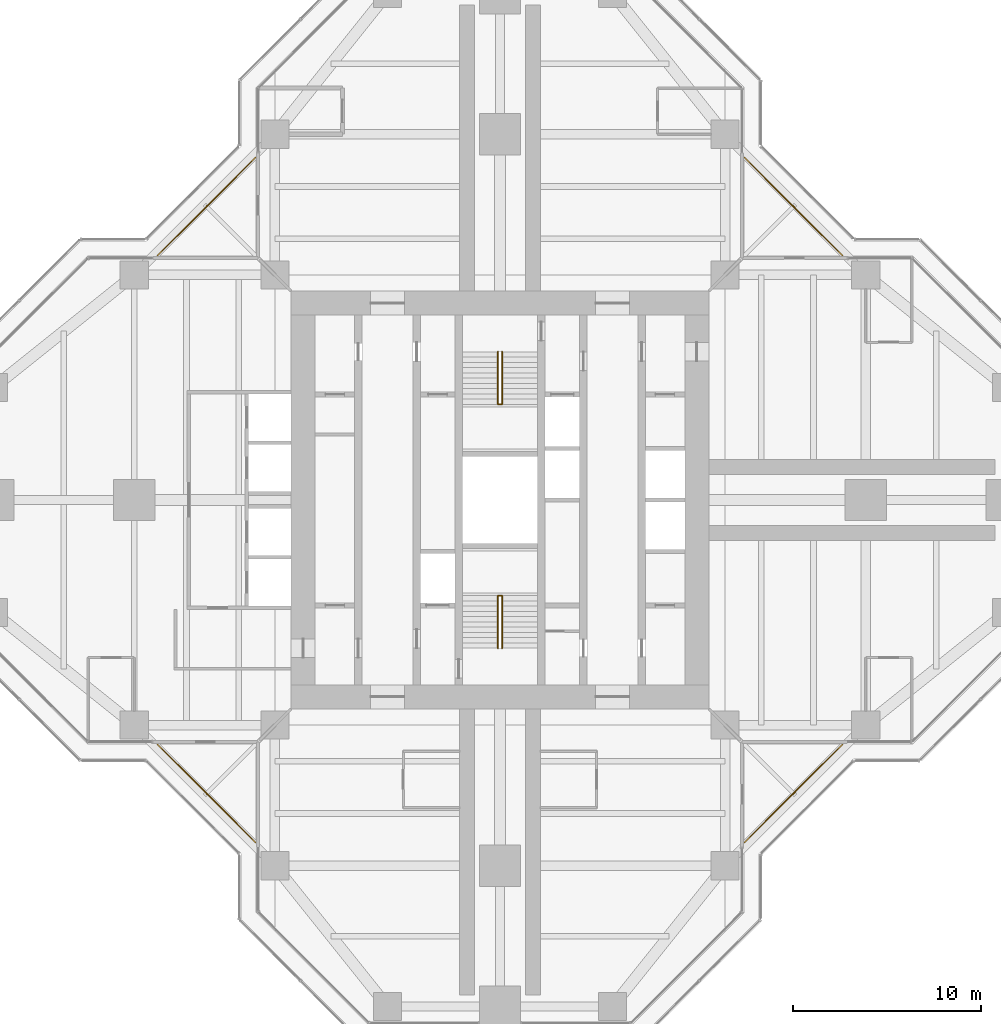
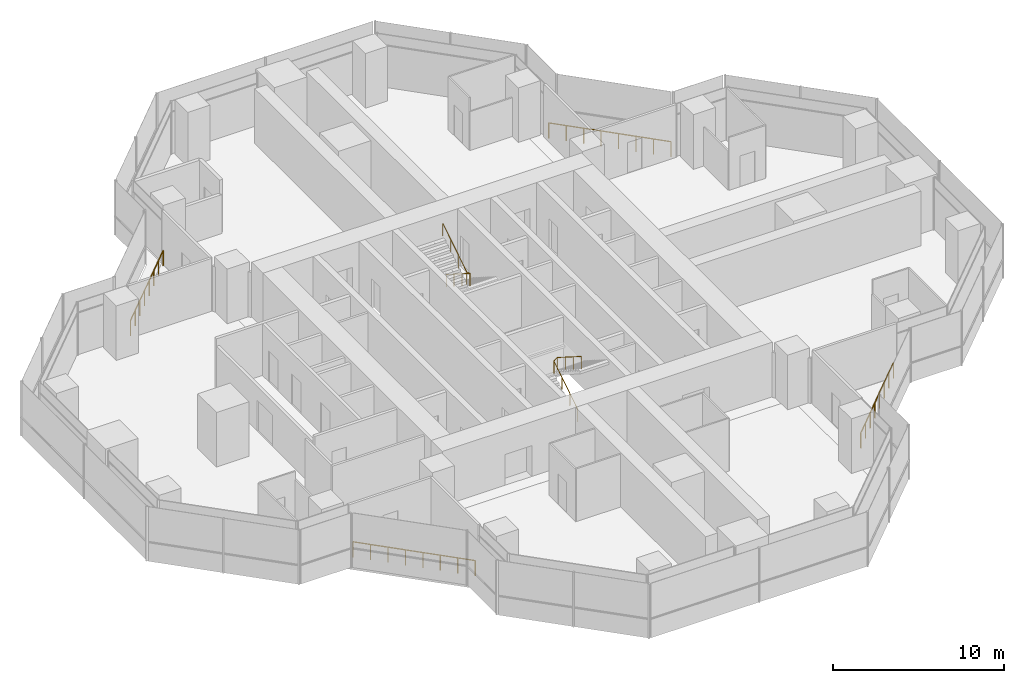
# One storey, part 17 of 17: 6 railings.
"""IFC4 building model written with IfcOpenShell, lengths in metres."""

from ifc_helpers import new_model, si_unit, direction, frame, origin, origin_2d, place, context, subcontext, project, spatial, circle, extrude, material, type_object, element, save


model = new_model("IFC4")

# Units and contexts
model_context = context("Model", 3, precision=1e-05, world=origin(), true_north=direction((0.0, 1.0)))
body_context = subcontext(model_context, "Body", "Model", "MODEL_VIEW")
ifc_project = project(units=[si_unit("LENGTHUNIT", "METRE"), si_unit("AREAUNIT", "SQUARE_METRE"), si_unit("VOLUMEUNIT", "CUBIC_METRE"), si_unit("PLANEANGLEUNIT", "RADIAN"), si_unit("MASSUNIT", "GRAM", prefix="KILO")], contexts=[model_context])

# Site, building, storey
site_placement = place(None, origin())
site = spatial("IfcSite", under=ifc_project, at=site_placement, CompositionType="ELEMENT")
building_placement = place(site_placement, origin())
building = spatial("IfcBuilding", under=site, at=building_placement, Name="Mizan Broadcast Tower", CompositionType="ELEMENT")
storey_placement = place(building_placement, frame((0.0, 0.0, 251.699951171875)))
storey = spatial("IfcBuildingStorey", under=building, at=storey_placement, Name="L59", CompositionType="ELEMENT", Elevation=251.699951171875)

# Railings
ifc_material_1 = material(Name="Stainless steel and glass guard", Category="steel")
railing_type_1 = type_object("IfcRailingType", Name="GUARD 1100", PredefinedType="GUARDRAIL", material=ifc_material_1)
railing_1_placement = place(storey_placement, frame((18.2578125, 13.030029296875, 0.0)))
element("IfcRailing", 1, at=railing_1_placement, inside=storey, type_object=railing_type_1, Name="Winter garden guard L59 E", PredefinedType="GUARDRAIL", context=body_context, shape_type="SweptSolid", body=[
    extrude(circle(Radius=0.02392578125, at=origin_2d()), frame((0.0, 0.0, 1.076171875), z_axis=(-0.707106781187, 0.707106781187, 0.0), x_axis=(-0.707106781187, -0.707106781187, 0.0)), (0.0, 0.0, 1.0), 7.393310546875),
    extrude(circle(Radius=0.02099609375, at=origin_2d()), origin(), (0.0, 0.0, 1.0), 1.052001953125),
    extrude(circle(Radius=0.02099609375, at=origin_2d()), frame((-0.746826171875, 0.746826171875, 0.0)), (0.0, 0.0, 1.0), 1.052001953125),
    extrude(circle(Radius=0.02099609375, at=origin_2d()), frame((-1.49365234375, 1.49365234375, 0.0)), (0.0, 0.0, 1.0), 1.052001953125),
    extrude(circle(Radius=0.02099609375, at=origin_2d()), frame((-2.240478515625, 2.240478515625, 0.0)), (0.0, 0.0, 1.0), 1.052001953125),
    extrude(circle(Radius=0.02099609375, at=origin_2d()), frame((-2.9873046875, 2.9873046875, 0.0)), (0.0, 0.0, 1.0), 1.052001953125),
    extrude(circle(Radius=0.02099609375, at=origin_2d()), frame((-3.734130859375, 3.734130859375, 0.0)), (0.0, 0.0, 1.0), 1.052001953125),
    extrude(circle(Radius=0.02099609375, at=origin_2d()), frame((-4.48095703125, 4.48095703125, 0.0)), (0.0, 0.0, 1.0), 1.052001953125),
    extrude(circle(Radius=0.02099609375, at=origin_2d()), frame((-5.227783203125, 5.227783203125, 0.0)), (0.0, 0.0, 1.0), 1.052001953125),
])
railing_2_placement = place(storey_placement, frame((-13.030029296875, 18.2578125, 0.0)))
element("IfcRailing", 2, at=railing_2_placement, inside=storey, type_object=railing_type_1, Name="Winter garden guard L59 N", PredefinedType="GUARDRAIL", context=body_context, shape_type="SweptSolid", body=[
    extrude(circle(Radius=0.02392578125, at=origin_2d()), frame((0.0, 0.0, 1.076171875), z_axis=(-0.707106781187, -0.707106781187, 0.0), x_axis=(0.707106781187, -0.707106781187, 0.0)), (0.0, 0.0, 1.0), 7.393310546875),
    extrude(circle(Radius=0.02099609375, at=origin_2d()), origin(), (0.0, 0.0, 1.0), 1.052001953125),
    extrude(circle(Radius=0.02099609375, at=origin_2d()), frame((-0.746826171875, -0.746826171875, 0.0)), (0.0, 0.0, 1.0), 1.052001953125),
    extrude(circle(Radius=0.02099609375, at=origin_2d()), frame((-1.49365234375, -1.49365234375, 0.0)), (0.0, 0.0, 1.0), 1.052001953125),
    extrude(circle(Radius=0.02099609375, at=origin_2d()), frame((-2.240478515625, -2.240478515625, 0.0)), (0.0, 0.0, 1.0), 1.052001953125),
    extrude(circle(Radius=0.02099609375, at=origin_2d()), frame((-2.9873046875, -2.9873046875, 0.0)), (0.0, 0.0, 1.0), 1.052001953125),
    extrude(circle(Radius=0.02099609375, at=origin_2d()), frame((-3.734130859375, -3.734130859375, 0.0)), (0.0, 0.0, 1.0), 1.052001953125),
    extrude(circle(Radius=0.02099609375, at=origin_2d()), frame((-4.48095703125, -4.48095703125, 0.0)), (0.0, 0.0, 1.0), 1.052001953125),
    extrude(circle(Radius=0.02099609375, at=origin_2d()), frame((-5.227783203125, -5.227783203125, 0.0)), (0.0, 0.0, 1.0), 1.052001953125),
])
railing_3_placement = place(storey_placement, frame((-18.2578125, -13.030029296875, 0.0)))
element("IfcRailing", 3, at=railing_3_placement, inside=storey, type_object=railing_type_1, Name="Winter garden guard L59 W", PredefinedType="GUARDRAIL", context=body_context, shape_type="SweptSolid", body=[
    extrude(circle(Radius=0.02392578125, at=origin_2d()), frame((0.0, 0.0, 1.076171875), z_axis=(0.707106781187, -0.707106781187, 0.0), x_axis=(0.707106781187, 0.707106781187, 0.0)), (0.0, 0.0, 1.0), 7.393310546875),
    extrude(circle(Radius=0.02099609375, at=origin_2d()), origin(), (0.0, 0.0, 1.0), 1.052001953125),
    extrude(circle(Radius=0.02099609375, at=origin_2d()), frame((0.746826171875, -0.746826171875, 0.0)), (0.0, 0.0, 1.0), 1.052001953125),
    extrude(circle(Radius=0.02099609375, at=origin_2d()), frame((1.49365234375, -1.49365234375, 0.0)), (0.0, 0.0, 1.0), 1.052001953125),
    extrude(circle(Radius=0.02099609375, at=origin_2d()), frame((2.240478515625, -2.240478515625, 0.0)), (0.0, 0.0, 1.0), 1.052001953125),
    extrude(circle(Radius=0.02099609375, at=origin_2d()), frame((2.9873046875, -2.9873046875, 0.0)), (0.0, 0.0, 1.0), 1.052001953125),
    extrude(circle(Radius=0.02099609375, at=origin_2d()), frame((3.734130859375, -3.734130859375, 0.0)), (0.0, 0.0, 1.0), 1.052001953125),
    extrude(circle(Radius=0.02099609375, at=origin_2d()), frame((4.48095703125, -4.48095703125, 0.0)), (0.0, 0.0, 1.0), 1.052001953125),
    extrude(circle(Radius=0.02099609375, at=origin_2d()), frame((5.227783203125, -5.227783203125, 0.0)), (0.0, 0.0, 1.0), 1.052001953125),
])
railing_4_placement = place(storey_placement, frame((13.030029296875, -18.2578125, 0.0)))
element("IfcRailing", 4, at=railing_4_placement, inside=storey, type_object=railing_type_1, Name="Winter garden guard L59 S", PredefinedType="GUARDRAIL", context=body_context, shape_type="SweptSolid", body=[
    extrude(circle(Radius=0.02392578125, at=origin_2d()), frame((0.0, 0.0, 1.076171875), z_axis=(0.707106781187, 0.707106781187, 0.0), x_axis=(-0.707106781187, 0.707106781187, 0.0)), (0.0, 0.0, 1.0), 7.393310546875),
    extrude(circle(Radius=0.02099609375, at=origin_2d()), origin(), (0.0, 0.0, 1.0), 1.052001953125),
    extrude(circle(Radius=0.02099609375, at=origin_2d()), frame((0.746826171875, 0.746826171875, 0.0)), (0.0, 0.0, 1.0), 1.052001953125),
    extrude(circle(Radius=0.02099609375, at=origin_2d()), frame((1.49365234375, 1.49365234375, 0.0)), (0.0, 0.0, 1.0), 1.052001953125),
    extrude(circle(Radius=0.02099609375, at=origin_2d()), frame((2.240478515625, 2.240478515625, 0.0)), (0.0, 0.0, 1.0), 1.052001953125),
    extrude(circle(Radius=0.02099609375, at=origin_2d()), frame((2.9873046875, 2.9873046875, 0.0)), (0.0, 0.0, 1.0), 1.052001953125),
    extrude(circle(Radius=0.02099609375, at=origin_2d()), frame((3.734130859375, 3.734130859375, 0.0)), (0.0, 0.0, 1.0), 1.052001953125),
    extrude(circle(Radius=0.02099609375, at=origin_2d()), frame((4.48095703125, 4.48095703125, 0.0)), (0.0, 0.0, 1.0), 1.052001953125),
    extrude(circle(Radius=0.02099609375, at=origin_2d()), frame((5.227783203125, 5.227783203125, 0.0)), (0.0, 0.0, 1.0), 1.052001953125),
])
ifc_material_2 = material(Name="Stainless steel", Category="steel")
railing_type_2 = type_object("IfcRailingType", Name="HANDRAIL 50", PredefinedType="HANDRAIL", material=ifc_material_2)
railing_5_placement = place(storey_placement, frame((-0.110107421875, -7.89990234375, 0.17724609375)))
element("IfcRailing", 5, at=railing_5_placement, inside=storey, type_object=railing_type_2, Name="Stair A handrail", PredefinedType="HANDRAIL", context=body_context, shape_type="SweptSolid", body=[
    extrude(circle(Radius=0.02392578125, at=origin_2d()), frame((0.0, 0.0, 0.8759765625), z_axis=(0.0, 0.844887892834, 0.53494340686), x_axis=(-1.0, 0.0, 0.0)), (0.0, 0.0, 1.0), 3.313720703125),
    extrude(circle(Radius=0.02392578125, at=origin_2d()), frame((0.0, 2.7998046875, 2.6484375), z_axis=(0.77858989007, 0.0, 0.627533093216), x_axis=(0.0, 1.0, 0.0)), (0.0, 0.0, 1.0), 0.282958984375),
    extrude(circle(Radius=0.02392578125, at=origin_2d()), frame((0.22021484375, 2.7998046875, 2.826171875), z_axis=(0.0, -0.844887892834, 0.53494340686), x_axis=(1.0, 0.0, 0.0)), (0.0, 0.0, 1.0), 3.313720703125),
    extrude(circle(Radius=0.02099609375, at=origin_2d()), origin(), (0.0, 0.0, 1.0), 0.851806640625),
    extrude(circle(Radius=0.02099609375, at=origin_2d()), frame((0.0, 0.933349609375, 0.5908203125)), (0.0, 0.0, 1.0), 0.851806640625),
    extrude(circle(Radius=0.02099609375, at=origin_2d()), frame((0.0, 1.866455078125, 1.181884765625)), (0.0, 0.0, 1.0), 0.851806640625),
    extrude(circle(Radius=0.02099609375, at=origin_2d()), frame((0.0, 2.7998046875, 1.772705078125)), (0.0, 0.0, 1.0), 0.851806640625),
    extrude(circle(Radius=0.02099609375, at=origin_2d()), frame((0.22021484375, 2.7998046875, 1.9501953125)), (0.0, 0.0, 1.0), 0.851806640625),
    extrude(circle(Radius=0.02099609375, at=origin_2d()), frame((0.22021484375, 1.866455078125, 2.541015625)), (0.0, 0.0, 1.0), 0.851806640625),
    extrude(circle(Radius=0.02099609375, at=origin_2d()), frame((0.22021484375, 0.933349609375, 3.132080078125)), (0.0, 0.0, 1.0), 0.851806640625),
    extrude(circle(Radius=0.02099609375, at=origin_2d()), frame((0.22021484375, 0.0, 3.722900390625)), (0.0, 0.0, 1.0), 0.851806640625),
])
railing_6_placement = place(storey_placement, frame((0.110107421875, 7.89990234375, 0.17724609375)))
element("IfcRailing", 6, at=railing_6_placement, inside=storey, type_object=railing_type_2, Name="Stair B handrail", PredefinedType="HANDRAIL", context=body_context, shape_type="SweptSolid", body=[
    extrude(circle(Radius=0.02392578125, at=origin_2d()), frame((0.0, 0.0, 0.8759765625), z_axis=(0.0, -0.844887892834, 0.53494340686), x_axis=(1.0, 0.0, 0.0)), (0.0, 0.0, 1.0), 3.313720703125),
    extrude(circle(Radius=0.02392578125, at=origin_2d()), frame((0.0, -2.7998046875, 2.6484375), z_axis=(-0.77858989007, 0.0, 0.627533093216), x_axis=(0.0, -1.0, 0.0)), (0.0, 0.0, 1.0), 0.282958984375),
    extrude(circle(Radius=0.02392578125, at=origin_2d()), frame((-0.22021484375, -2.7998046875, 2.826171875), z_axis=(0.0, 0.844887892834, 0.53494340686), x_axis=(-1.0, 0.0, 0.0)), (0.0, 0.0, 1.0), 3.313720703125),
    extrude(circle(Radius=0.02099609375, at=origin_2d()), origin(), (0.0, 0.0, 1.0), 0.851806640625),
    extrude(circle(Radius=0.02099609375, at=origin_2d()), frame((0.0, -0.933349609375, 0.5908203125)), (0.0, 0.0, 1.0), 0.851806640625),
    extrude(circle(Radius=0.02099609375, at=origin_2d()), frame((0.0, -1.866455078125, 1.181884765625)), (0.0, 0.0, 1.0), 0.851806640625),
    extrude(circle(Radius=0.02099609375, at=origin_2d()), frame((0.0, -2.7998046875, 1.772705078125)), (0.0, 0.0, 1.0), 0.851806640625),
    extrude(circle(Radius=0.02099609375, at=origin_2d()), frame((-0.22021484375, -2.7998046875, 1.9501953125)), (0.0, 0.0, 1.0), 0.851806640625),
    extrude(circle(Radius=0.02099609375, at=origin_2d()), frame((-0.22021484375, -1.866455078125, 2.541015625)), (0.0, 0.0, 1.0), 0.851806640625),
    extrude(circle(Radius=0.02099609375, at=origin_2d()), frame((-0.22021484375, -0.933349609375, 3.132080078125)), (0.0, 0.0, 1.0), 0.851806640625),
    extrude(circle(Radius=0.02099609375, at=origin_2d()), frame((-0.22021484375, 0.0, 3.722900390625)), (0.0, 0.0, 1.0), 0.851806640625),
])

save(model, "model.ifc")
